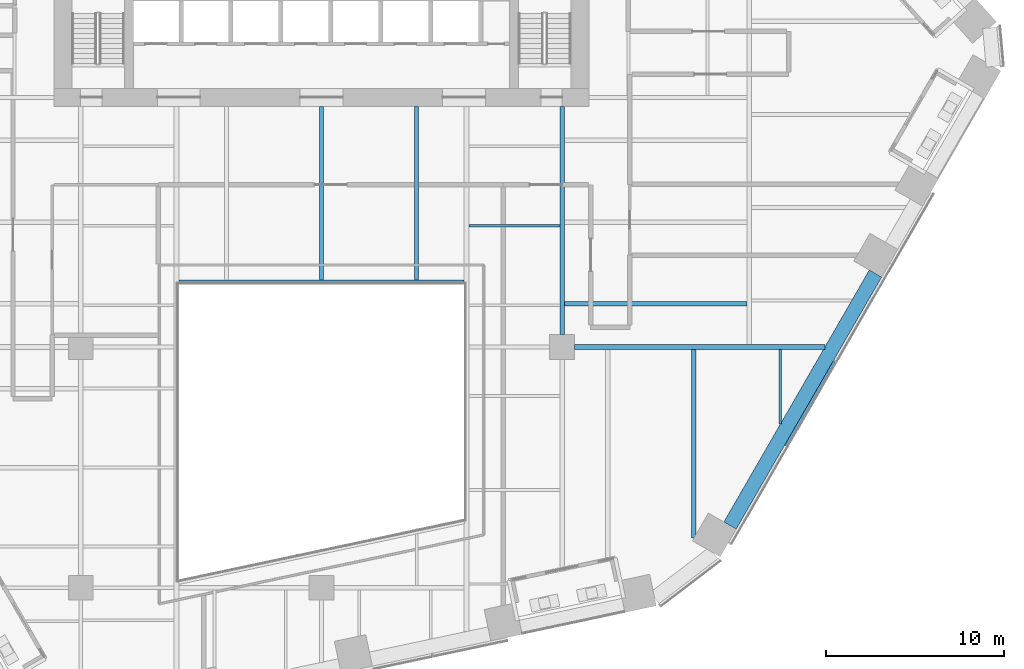
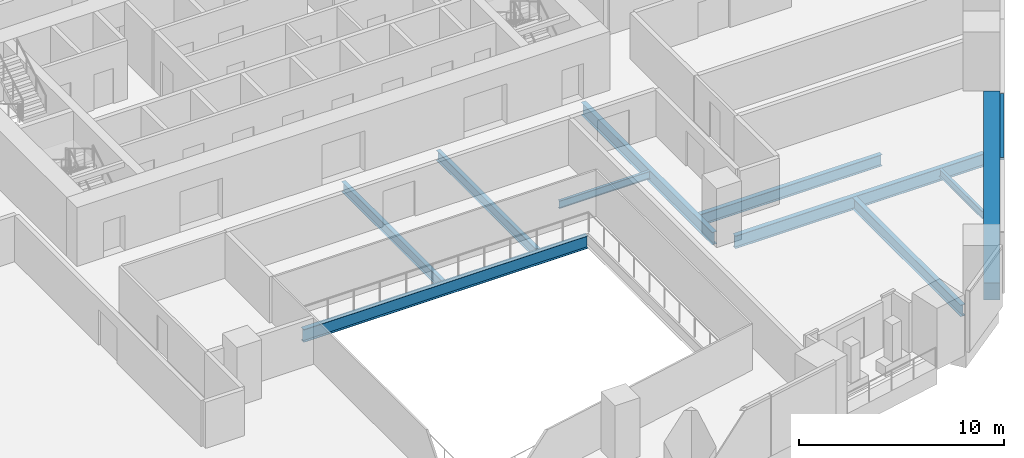
# One storey, part 7 of 31: 10 beams, 1 member, 1 element without a shape of its own.
"""IFC4 building model written with IfcOpenShell, lengths in metres."""

from ifc_helpers import new_model, si_unit, direction, frame, origin, origin_2d, place, context, subcontext, project, spatial, rectangle, i_section, extrude, material, layer, layer_set, material_profile, profile_set, type_object, element, aggregate, save


model = new_model("IFC4")

# Units and contexts
model_context = context("Model", 3, precision=1e-05, world=origin(), true_north=direction((0.0, 1.0)))
body_context = subcontext(model_context, "Body", "Model", "MODEL_VIEW")
ifc_project = project(units=[si_unit("LENGTHUNIT", "METRE"), si_unit("AREAUNIT", "SQUARE_METRE"), si_unit("VOLUMEUNIT", "CUBIC_METRE"), si_unit("PLANEANGLEUNIT", "RADIAN"), si_unit("MASSUNIT", "GRAM", prefix="KILO")], contexts=[model_context])

# Site, building, storey
site_placement = place(None, origin())
site = spatial("IfcSite", under=ifc_project, at=site_placement, CompositionType="ELEMENT")
building_placement = place(site_placement, origin())
building = spatial("IfcBuilding", under=site, at=building_placement, Name="Isthmus Gate Tower", CompositionType="ELEMENT")
storey_placement = place(building_placement, frame((0.0, 0.0, 54.25)))
storey = spatial("IfcBuildingStorey", under=building, at=storey_placement, Name="L11", CompositionType="ELEMENT", Elevation=54.25)

# Curtain wall, member
ifc_material_1 = material(Name="Aluminium, pale champagne anodised", Category="aluminium")
ifc_layer = layer(ifc_material_1, 0.199951171875)
ifc_layer_set = layer_set([ifc_layer], Name="CW-1 UNITISED CURTAIN WALL 200 DEEP")
curtain_wall_type = type_object("IfcCurtainWallType", Name="CW-1 UNITISED CURTAIN WALL 200 DEEP", PredefinedType="NOTDEFINED", material=ifc_layer_set)
curtain_wall_placement = place(storey_placement, origin())
curtain_wall = element("IfcCurtainWall", 1, at=curtain_wall_placement, inside=storey, type_object=curtain_wall_type, Name="CW-1 SE L11", PredefinedType="NOTDEFINED")
ifc_material_2 = material(Name="Aluminium, pale champagne anodised", Category="aluminium")
ifc_material_profile_1 = material_profile(ifc_material_2, rectangle(XDim=0.199951171875, YDim=0.14990234375, at=origin_2d()), Name="200x150")
ifc_profile_set_1 = profile_set([ifc_material_profile_1], Name="Aluminium, pale champagne anodised")
member_type = type_object("IfcMemberType", Name="CW-1 TRANSOM 200 X 150", PredefinedType="USERDEFINED", material=ifc_profile_set_1)
member_placement = place(storey_placement, frame((26.06787109375, -19.04931640625, 3.574951171875), z_axis=(0.499991872758, 0.866030095999, 0.0), x_axis=(-0.866030095999, 0.499991872758, 0.0)))
member = element("IfcMember", 2, at=member_placement, type_object=member_type, Name="CW-1 transom", ObjectType="TRANSOM", PredefinedType="USERDEFINED", context=body_context, shape_type="SweptSolid", body=[
    extrude(rectangle(XDim=0.199951171875, YDim=0.14990234375, at=origin_2d()), origin(), (0.0, 0.0, 1.0), 5.4384765625),
])
aggregate(curtain_wall, [member])

# Beams
ifc_material_3 = material(Name="Concrete f'c 70 MPa", Category="concrete")
ifc_material_profile_2 = material_profile(ifc_material_3, rectangle(XDim=0.800048828125, YDim=1.0, at=origin_2d()), Name="RC 800X1000")
ifc_profile_set_2 = profile_set([ifc_material_profile_2], Name="Concrete f'c 70 MPa")
beam_type_1 = type_object("IfcBeamType", Name="RC SPANDREL 800 X 1000", PredefinedType="SPANDREL", material=ifc_profile_set_2)
beam_1_placement = place(storey_placement, frame((31.0732421875, -9.37939453125, -0.5), z_axis=(-0.499991872758, -0.866030095999, 0.0), x_axis=(0.866030095999, -0.499991872758, 0.0)))
element("IfcBeam", 3, at=beam_1_placement, inside=storey, type_object=beam_type_1, Name="str-spandrel-L11-08", PredefinedType="SPANDREL", context=body_context, shape_type="SweptSolid", body=[
    extrude(rectangle(XDim=0.800048828125, YDim=1.0, at=origin_2d()), origin(), (0.0, 0.0, 1.0), 16.315673828125),
])
ifc_material_4 = material(Name="Structural steel ASTM A992 Gr 50", Category="steel")
ifc_material_profile_3 = material_profile(ifc_material_4, i_section(OverallWidth=0.15234375, OverallDepth=0.45068359375, WebThickness=0.0078125, FlangeThickness=0.010986328125, at=origin_2d()), Name="W18X35")
ifc_profile_set_3 = profile_set([ifc_material_profile_3], Name="Structural steel ASTM A992 Gr 50")
beam_type_2 = type_object("IfcBeamType", Name="STEEL FLOOR BEAM W18X35", PredefinedType="JOIST", material=ifc_profile_set_3)
beam_2_placement = place(storey_placement, frame((8.263427734375, -6.697509765625, -0.37548828125), z_axis=(1.0, 0.0, 0.0), x_axis=(0.0, 1.0, 0.0)))
element("IfcBeam", 4, at=beam_2_placement, inside=storey, type_object=beam_type_2, Name="str-beam-L11-26-01", PredefinedType="JOIST", context=body_context, shape_type="SweptSolid", body=[
    extrude(i_section(OverallWidth=0.15234375, OverallDepth=0.45068359375, WebThickness=0.0078125, FlangeThickness=0.010986328125, at=origin_2d()), origin(), (0.0, 0.0, 1.0), 5.104736328125),
])
beam_3_placement = place(storey_placement, frame((25.734130859375, -17.827392578125, -0.37548828125), z_axis=(0.0, 1.0, 0.0), x_axis=(-1.0, 0.0, 0.0)))
element("IfcBeam", 5, at=beam_3_placement, inside=storey, type_object=beam_type_2, Name="str-beam-L11-33-02", PredefinedType="JOIST", context=body_context, shape_type="SweptSolid", body=[
    extrude(i_section(OverallWidth=0.15234375, OverallDepth=0.45068359375, WebThickness=0.0078125, FlangeThickness=0.010986328125, at=origin_2d()), origin(), (0.0, 0.0, 1.0), 4.194091796875),
])
ifc_material_5 = material(Name="Structural steel ASTM A992 Gr 50", Category="steel")
ifc_material_profile_4 = material_profile(ifc_material_5, i_section(OverallWidth=0.228515625, OverallDepth=0.603271484375, WebThickness=0.010986328125, FlangeThickness=0.014404296875, at=origin_2d()), Name="W24X68")
ifc_profile_set_4 = profile_set([ifc_material_profile_4], Name="Structural steel ASTM A992 Gr 50")
beam_type_3 = type_object("IfcBeamType", Name="STEEL FLOOR BEAM W24X68", PredefinedType="JOIST", material=ifc_profile_set_4)
for number, where, z_axis, x_axis, name in (
    (6, (0.0, -9.7333984375, -0.45166015625), (0.0, 1.0, 0.0), (-1.0, 0.0, 0.0), "str-beam-L11-19-01"),
    (7, (5.333251953125, -9.7333984375, -0.45166015625), (0.0, 1.0, 0.0), (-1.0, 0.0, 0.0), "str-beam-L11-19-02"),
):
    element("IfcBeam", number, at=place(storey_placement, frame(where, z_axis=z_axis, x_axis=x_axis)), inside=storey, type_object=beam_type_3, Name=name, PredefinedType="JOIST", context=body_context, shape_type="SweptSolid", body=[
        extrude(i_section(OverallWidth=0.228515625, OverallDepth=0.603271484375, WebThickness=0.010986328125, FlangeThickness=0.014404296875, at=origin_2d()), origin(), (0.0, 0.0, 1.0), 9.7333984375),
    ])
ifc_material_6 = material(Name="Structural steel ASTM A992 Gr 50", Category="steel")
ifc_material_profile_5 = material_profile(ifc_material_6, i_section(OverallWidth=0.25390625, OverallDepth=0.679443359375, WebThickness=0.010986328125, FlangeThickness=0.015869140625, at=origin_2d()), Name="W27X84")
ifc_profile_set_5 = profile_set([ifc_material_profile_5], Name="Structural steel ASTM A992 Gr 50")
beam_type_4 = type_object("IfcBeamType", Name="STEEL FLOOR BEAM W27X84", PredefinedType="JOIST", material=ifc_profile_set_5)
beam_4_placement = place(storey_placement, frame((13.6318359375, -11.07470703125, -0.48974609375), z_axis=(1.0, 0.0, 0.0), x_axis=(0.0, 1.0, 0.0)))
element("IfcBeam", 8, at=beam_4_placement, inside=storey, type_object=beam_type_4, Name="str-beam-L11-31-00", PredefinedType="JOIST", context=body_context, shape_type="SweptSolid", body=[
    extrude(i_section(OverallWidth=0.25390625, OverallDepth=0.679443359375, WebThickness=0.010986328125, FlangeThickness=0.015869140625, at=origin_2d()), origin(), (0.0, 0.0, 1.0), 10.23486328125),
])
beam_5_placement = place(storey_placement, frame((20.89111328125, -24.21533203125, -0.48974609375), z_axis=(0.0, 1.0, 0.0), x_axis=(-1.0, 0.0, 0.0)))
element("IfcBeam", 9, at=beam_5_placement, inside=storey, type_object=beam_type_4, Name="str-beam-L11-33-01", PredefinedType="JOIST", context=body_context, shape_type="SweptSolid", body=[
    extrude(i_section(OverallWidth=0.25390625, OverallDepth=0.679443359375, WebThickness=0.010986328125, FlangeThickness=0.015869140625, at=origin_2d()), origin(), (0.0, 0.0, 1.0), 10.58203125),
])
ifc_material_7 = material(Name="Structural steel ASTM A992 Gr 50", Category="steel")
ifc_material_profile_6 = material_profile(ifc_material_7, i_section(OverallWidth=0.2666015625, OverallDepth=0.7587890625, WebThickness=0.014404296875, FlangeThickness=0.01904296875, at=origin_2d()), Name="W30X108")
ifc_profile_set_6 = profile_set([ifc_material_profile_6], Name="Structural steel ASTM A992 Gr 50")
beam_type_5 = type_object("IfcBeamType", Name="STEEL GIRDER W30X108", PredefinedType="BEAM", material=ifc_profile_set_6)
beam_6_placement = place(storey_placement, frame((14.199951171875, -13.5, -0.529296875), z_axis=(1.0, 0.0, 0.0), x_axis=(0.0, 1.0, 0.0)))
element("IfcBeam", 10, at=beam_6_placement, inside=storey, type_object=beam_type_5, Name="str-girder-L11-08", PredefinedType="BEAM", context=body_context, shape_type="SweptSolid", body=[
    extrude(i_section(OverallWidth=0.2666015625, OverallDepth=0.7587890625, WebThickness=0.014404296875, FlangeThickness=0.01904296875, at=origin_2d()), origin(), (0.0, 0.0, 1.0), 14.032470703125),
])
ifc_material_8 = material(Name="Structural steel ASTM A992 Gr 50", Category="steel")
ifc_material_profile_7 = material_profile(ifc_material_8, i_section(OverallWidth=0.263427734375, OverallDepth=0.749267578125, WebThickness=0.0126953125, FlangeThickness=0.015869140625, at=origin_2d()), Name="W30X90")
ifc_profile_set_7 = profile_set([ifc_material_profile_7], Name="Structural steel ASTM A992 Gr 50")
beam_type_6 = type_object("IfcBeamType", Name="STEEL GIRDER W30X90", PredefinedType="BEAM", material=ifc_profile_set_7)
beam_7_placement = place(storey_placement, frame((13.5, -12.800048828125, -0.524658203125), z_axis=(0.0, 1.0, 0.0), x_axis=(-1.0, 0.0, 0.0)))
element("IfcBeam", 11, at=beam_7_placement, inside=storey, type_object=beam_type_6, Name="str-girder-L11-32", PredefinedType="BEAM", context=body_context, shape_type="SweptSolid", body=[
    extrude(i_section(OverallWidth=0.263427734375, OverallDepth=0.749267578125, WebThickness=0.0126953125, FlangeThickness=0.015869140625, at=origin_2d()), origin(), (0.0, 0.0, 1.0), 12.800048828125),
])
ifc_material_9 = material(Name="Structural steel ASTM A992 Gr 50", Category="steel")
ifc_material_profile_8 = material_profile(ifc_material_9, i_section(OverallWidth=0.2666015625, OverallDepth=0.7587890625, WebThickness=0.014404296875, FlangeThickness=0.01904296875, at=origin_2d()), Name="W30X108")
ifc_profile_set_8 = profile_set([ifc_material_profile_8], Name="Structural steel ASTM A992 Gr 50")
beam_type_7 = type_object("IfcBeamType", Name="STEEL TRIMMER W30X108", PredefinedType="BEAM", material=ifc_profile_set_8)
beam_8_placement = place(storey_placement, frame((8.0, -9.86669921875, -0.529296875), z_axis=(-1.0, 0.0, 0.0), x_axis=(0.0, -1.0, 0.0)))
element("IfcBeam", 12, at=beam_8_placement, inside=storey, type_object=beam_type_7, Name="str-trimmer-L11-04", PredefinedType="BEAM", context=body_context, shape_type="SweptSolid", body=[
    extrude(i_section(OverallWidth=0.2666015625, OverallDepth=0.7587890625, WebThickness=0.014404296875, FlangeThickness=0.01904296875, at=origin_2d()), origin(), (0.0, 0.0, 1.0), 16.0),
])

save(model, "model.ifc")
